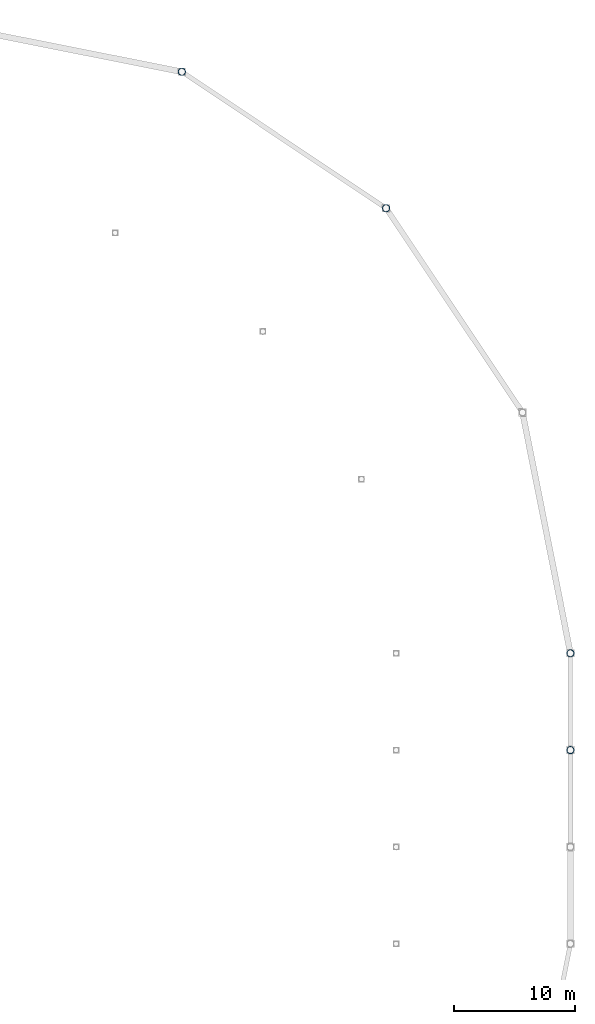
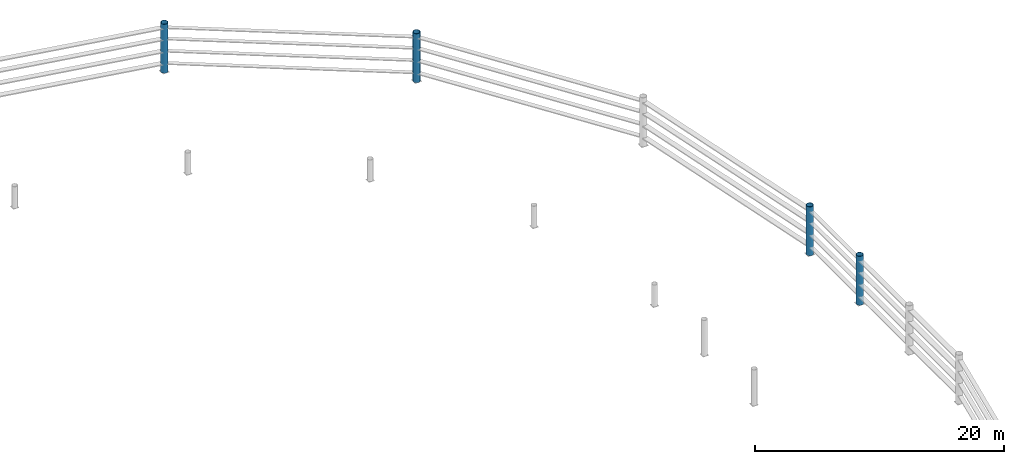
# One storey, part 14 of 29: 4 columns.
"""IFC4 building model written with IfcOpenShell, lengths in metres."""

from ifc_helpers import new_model, si_unit, direction, frame, origin, origin_2d, place, context, subcontext, project, spatial, hollow_circle, extrude, material, material_profile, profile_set, type_object, element, save


model = new_model("IFC4")

# Units and contexts
model_context = context("Model", 3, precision=1e-05, world=origin(), true_north=direction((0.0, 1.0)))
body_context = subcontext(model_context, "Body", "Model", "MODEL_VIEW")
ifc_project = project(units=[si_unit("LENGTHUNIT", "METRE"), si_unit("AREAUNIT", "SQUARE_METRE"), si_unit("VOLUMEUNIT", "CUBIC_METRE"), si_unit("PLANEANGLEUNIT", "RADIAN"), si_unit("MASSUNIT", "GRAM", prefix="KILO")], contexts=[model_context])

# Site, building, storey
site_placement = place(None, origin())
site = spatial("IfcSite", under=ifc_project, at=site_placement, CompositionType="ELEMENT")
building_placement = place(site_placement, origin())
building = spatial("IfcBuilding", under=site, at=building_placement, Name="Candeia Ridge Stadium", CompositionType="ELEMENT")
storey_placement = place(building_placement, frame((0.0, 0.0, 27.0)))
storey = spatial("IfcBuildingStorey", under=building, at=storey_placement, Name="L05", CompositionType="ELEMENT", Elevation=27.0)

# Columns
ifc_material = material(Name="Steel ASTM A572 Grade 50", Category="steel")
ifc_material_profile = material_profile(ifc_material, hollow_circle(Radius=0.304931640625, WallThickness=0.02490234375, at=origin_2d()), Name="CHS610x25", Category="steel")
ifc_profile_set = profile_set([ifc_material_profile], Name="Steel ASTM A572 Grade 50")
column_type = type_object("IfcColumnType", Name="Roof Mast Column CHS610x25", PredefinedType="PILASTER", material=ifc_profile_set)
for number, where, z_axis, x_axis, name in (
    (1, (193.0, 87.0, 0.0), (0.0, 0.0, 1.0), (1.0, 0.0, 0.0), "Roof truss steel mast column BC-OU-31 L05"),
    (2, (193.0, 95.0, 0.0), (0.0, 0.0, 1.0), (1.0, 0.0, 0.0), "Roof truss steel mast column BC-OU-32 L05"),
    (3, (177.76953125, 131.76953125, 0.0), (0.0, 0.0, 1.0), (1.0, 0.0, 0.0), "Roof truss steel mast column BC-OU-34 L05"),
    (4, (160.899658203125, 143.041748046875, 0.0), (0.0, 0.0, 1.0), (1.0, 0.0, 0.0), "Roof truss steel mast column BC-OU-35 L05"),
):
    element("IfcColumn", number, at=place(storey_placement, frame(where, z_axis=z_axis, x_axis=x_axis)), inside=storey, type_object=column_type, Name=name, PredefinedType="PILASTER", context=body_context, shape_type="SweptSolid", body=[
        extrude(hollow_circle(Radius=0.304931640625, WallThickness=0.02490234375, at=origin_2d()), origin(), (0.0, 0.0, 1.0), 4.800048828125),
    ])

save(model, "model.ifc")
